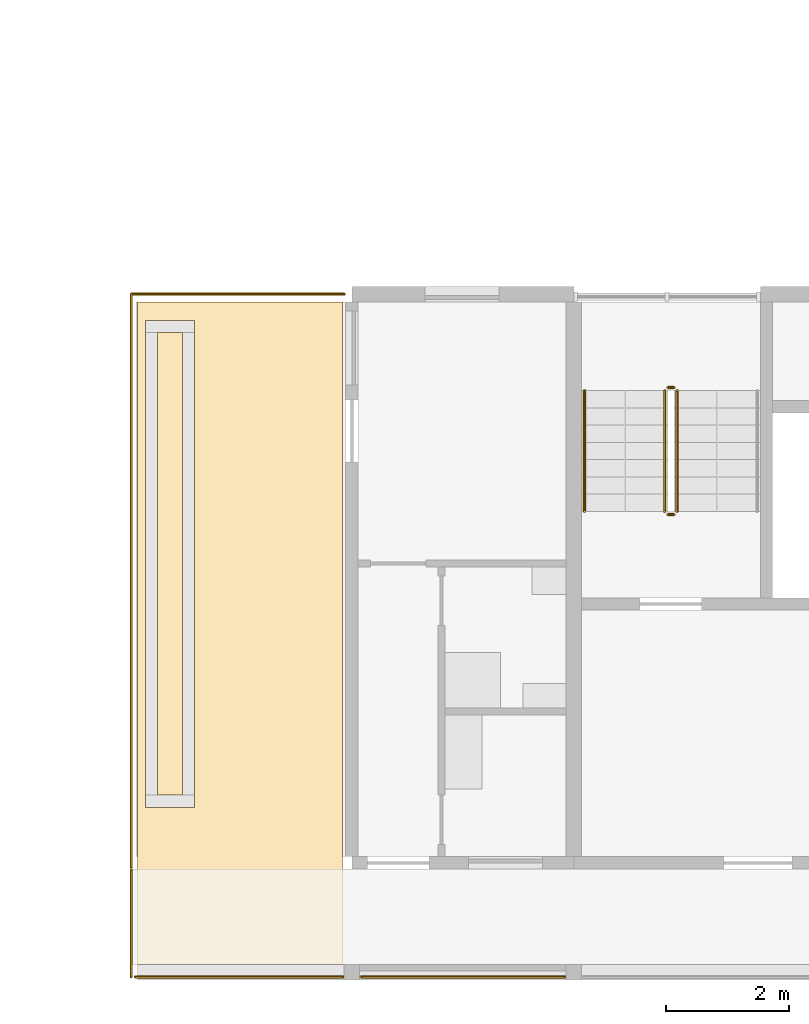
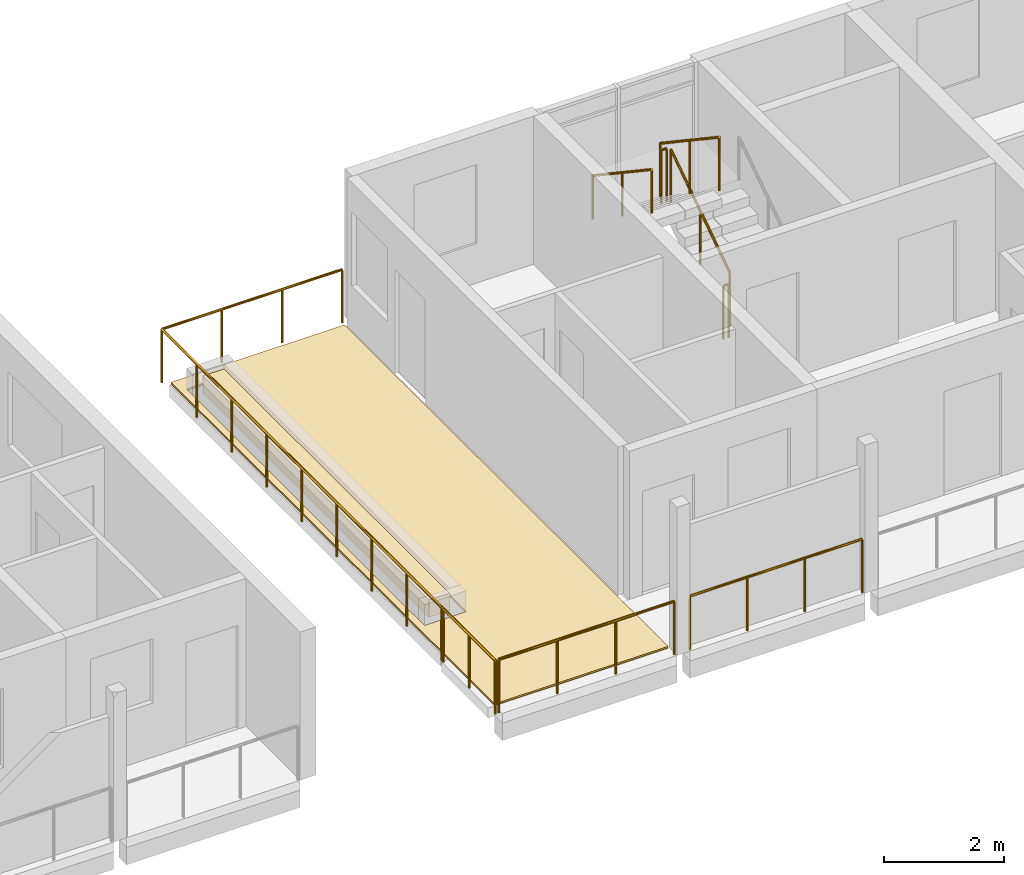
# One storey, part 50 of 64: 9 railings, 3 coverings.
"""IFC4 building model written with IfcOpenShell, lengths in metres."""

from ifc_helpers import new_model, si_unit, direction, frame, origin, origin_2d, place, context, subcontext, project, spatial, polyline, circle, outline, extrude, material, layer, layer_set, type_object, element, save


model = new_model("IFC4")

# Units and contexts
model_context = context("Model", 3, precision=1e-05, world=origin(), true_north=direction((0.0, 1.0)))
body_context = subcontext(model_context, "Body", "Model", "MODEL_VIEW")
ifc_project = project(units=[si_unit("LENGTHUNIT", "METRE"), si_unit("AREAUNIT", "SQUARE_METRE"), si_unit("VOLUMEUNIT", "CUBIC_METRE"), si_unit("PLANEANGLEUNIT", "RADIAN"), si_unit("MASSUNIT", "GRAM", prefix="KILO")], contexts=[model_context])

# Site, building, storey
site_placement = place(None, origin())
site = spatial("IfcSite", under=ifc_project, at=site_placement, CompositionType="ELEMENT")
building_placement = place(site_placement, origin())
building = spatial("IfcBuilding", under=site, at=building_placement, Name="Ridgestep Commons", CompositionType="ELEMENT")
storey_placement = place(building_placement, frame((0.0, 0.0, 33.0)))
storey = spatial("IfcBuildingStorey", under=building, at=storey_placement, Name="L11", CompositionType="ELEMENT", Elevation=33.0)

# Railings
ifc_material_1 = material(Name="Structural steel S355JR", Category="steel")
railing_type_1 = type_object("IfcRailingType", Name="Guard 1100", PredefinedType="GUARDRAIL", material=ifc_material_1)
railing_1_placement = place(storey_placement, frame((66.02099609375, 13.571044921875, 0.0)))
element("IfcRailing", 1, at=railing_1_placement, inside=storey, type_object=railing_type_1, Name="Guard TD-A4R2-GD", PredefinedType="GUARDRAIL", context=body_context, shape_type="SweptSolid", body=[
    extrude(circle(Radius=0.02392578125, at=origin_2d()), frame((0.0, 0.0, 1.076171875), z_axis=(0.0, 1.0, 0.0), x_axis=(-1.0, 0.0, 0.0)), (0.0, 0.0, 1.0), 9.303955078125),
    extrude(circle(Radius=0.02392578125, at=origin_2d()), frame((0.0, 9.303955078125, 1.076171875), z_axis=(1.0, 0.0, 0.0), x_axis=(0.0, 1.0, 0.0)), (0.0, 0.0, 1.0), 3.4580078125),
    extrude(circle(Radius=0.02099609375, at=origin_2d()), origin(), (0.0, 0.0, 1.0), 1.052001953125),
    extrude(circle(Radius=0.02099609375, at=origin_2d()), frame((0.0, 1.1630859375, 0.0)), (0.0, 0.0, 1.0), 1.052001953125),
    extrude(circle(Radius=0.02099609375, at=origin_2d()), frame((0.0, 2.325927734375, 0.0)), (0.0, 0.0, 1.0), 1.052001953125),
    extrude(circle(Radius=0.02099609375, at=origin_2d()), frame((0.0, 3.489013671875, 0.0)), (0.0, 0.0, 1.0), 1.052001953125),
    extrude(circle(Radius=0.02099609375, at=origin_2d()), frame((0.0, 4.65185546875, 0.0)), (0.0, 0.0, 1.0), 1.052001953125),
    extrude(circle(Radius=0.02099609375, at=origin_2d()), frame((0.0, 5.81494140625, 0.0)), (0.0, 0.0, 1.0), 1.052001953125),
    extrude(circle(Radius=0.02099609375, at=origin_2d()), frame((0.0, 6.97802734375, 0.0)), (0.0, 0.0, 1.0), 1.052001953125),
    extrude(circle(Radius=0.02099609375, at=origin_2d()), frame((0.0, 8.140869140625, 0.0)), (0.0, 0.0, 1.0), 1.052001953125),
    extrude(circle(Radius=0.02099609375, at=origin_2d()), frame((0.0, 9.303955078125, 0.0)), (0.0, 0.0, 1.0), 1.052001953125),
    extrude(circle(Radius=0.02099609375, at=origin_2d()), frame((1.152587890625, 9.303955078125, 0.0)), (0.0, 0.0, 1.0), 1.052001953125),
    extrude(circle(Radius=0.02099609375, at=origin_2d()), frame((2.305419921875, 9.303955078125, 0.0)), (0.0, 0.0, 1.0), 1.052001953125),
    extrude(circle(Radius=0.02099609375, at=origin_2d()), frame((3.4580078125, 9.303955078125, 0.0)), (0.0, 0.0, 1.0), 1.052001953125),
])
railing_2_placement = place(storey_placement, frame((66.083984375, 11.800048828125, 0.0)))
element("IfcRailing", 2, at=railing_2_placement, inside=storey, type_object=railing_type_1, Name="Gallery guard A 11.1", PredefinedType="GUARDRAIL", context=body_context, shape_type="SweptSolid", body=[
    extrude(circle(Radius=0.02392578125, at=origin_2d()), frame((0.0, 0.0, 1.076171875), z_axis=(1.0, 0.0, 0.0), x_axis=(0.0, 1.0, 0.0)), (0.0, 0.0, 1.0), 3.3701171875),
    extrude(circle(Radius=0.02099609375, at=origin_2d()), origin(), (0.0, 0.0, 1.0), 1.052001953125),
    extrude(circle(Radius=0.02099609375, at=origin_2d()), frame((1.123291015625, 0.0, 0.0)), (0.0, 0.0, 1.0), 1.052001953125),
    extrude(circle(Radius=0.02099609375, at=origin_2d()), frame((2.246826171875, 0.0, 0.0)), (0.0, 0.0, 1.0), 1.052001953125),
    extrude(circle(Radius=0.02099609375, at=origin_2d()), frame((3.3701171875, 0.0, 0.0)), (0.0, 0.0, 1.0), 1.052001953125),
])
railing_3_placement = place(storey_placement, frame((66.02099609375, 11.800048828125, 0.0)))
element("IfcRailing", 3, at=railing_3_placement, inside=storey, type_object=railing_type_1, Name="Gallery end guard A 11.1W", PredefinedType="GUARDRAIL", context=body_context, shape_type="SweptSolid", body=[
    extrude(circle(Radius=0.02392578125, at=origin_2d()), frame((0.0, 0.0, 1.076171875), z_axis=(0.0, 1.0, 0.0), x_axis=(-1.0, 0.0, 0.0)), (0.0, 0.0, 1.0), 1.72900390625),
    extrude(circle(Radius=0.02099609375, at=origin_2d()), origin(), (0.0, 0.0, 1.0), 1.052001953125),
    extrude(circle(Radius=0.02099609375, at=origin_2d()), frame((0.0, 0.864501953125, 0.0)), (0.0, 0.0, 1.0), 1.052001953125),
    extrude(circle(Radius=0.02099609375, at=origin_2d()), frame((0.0, 1.72900390625, 0.0)), (0.0, 0.0, 1.0), 1.052001953125),
])
railing_4_placement = place(storey_placement, frame((69.74609375, 11.800048828125, 0.0)))
element("IfcRailing", 4, at=railing_4_placement, inside=storey, type_object=railing_type_1, Name="Gallery guard A 11.2", PredefinedType="GUARDRAIL", context=body_context, shape_type="SweptSolid", body=[
    extrude(circle(Radius=0.02392578125, at=origin_2d()), frame((0.0, 0.0, 1.076171875), z_axis=(1.0, 0.0, 0.0), x_axis=(0.0, 1.0, 0.0)), (0.0, 0.0, 1.0), 3.307861328125),
    extrude(circle(Radius=0.02099609375, at=origin_2d()), origin(), (0.0, 0.0, 1.0), 1.052001953125),
    extrude(circle(Radius=0.02099609375, at=origin_2d()), frame((1.1025390625, 0.0, 0.0)), (0.0, 0.0, 1.0), 1.052001953125),
    extrude(circle(Radius=0.02099609375, at=origin_2d()), frame((2.205322265625, 0.0, 0.0)), (0.0, 0.0, 1.0), 1.052001953125),
    extrude(circle(Radius=0.02099609375, at=origin_2d()), frame((3.307861328125, 0.0, 0.0)), (0.0, 0.0, 1.0), 1.052001953125),
])

# Covering
ifc_material_2 = material(Name="Planting soil")
ifc_layer_1 = layer(ifc_material_2, 0.35009765625)
ifc_layer_set_1 = layer_set([ifc_layer_1], Name="Planting soil 350")
covering_type_1 = type_object("IfcCoveringType", Name="Planting soil 350", PredefinedType="FLOORING", material=ifc_layer_set_1)
covering_1_placement = place(storey_placement, frame((0.0, 0.0, 0.010009765625)))
element("IfcCovering", 5, at=covering_1_placement, inside=storey, type_object=covering_type_1, Name="Planting soil A4R2", PredefinedType="FLOORING", context=body_context, shape_type="SweptSolid", body=[
    extrude(outline(polyline([(66.449951171875, 14.75), (66.85009765625, 14.75), (66.85009765625, 22.25), (66.449951171875, 22.25), (66.449951171875, 14.75)])), origin(), (0.0, 0.0, 1.0), 0.35009765625),
])

# Railings
ifc_material_3 = material(Name="Structural steel S355JR", Category="steel")
railing_type_2 = type_object("IfcRailingType", Name="Stair guard 1100", PredefinedType="GUARDRAIL", material=ifc_material_3)
railing_5_placement = place(storey_placement, frame((74.875, 19.35009765625, 0.1875)))
element("IfcRailing", 6, at=railing_5_placement, inside=storey, type_object=railing_type_2, Name="L11 A4C stair guard 1", PredefinedType="GUARDRAIL", context=body_context, shape_type="SweptSolid", body=[
    extrude(circle(Radius=0.02392578125, at=origin_2d()), frame((0.0, 0.0, 1.076171875), z_axis=(0.0, 0.830902050051, 0.556418712142), x_axis=(-1.0, 0.0, 0.0)), (0.0, 0.0, 1.0), 2.35888671875),
    extrude(circle(Radius=0.02099609375, at=origin_2d()), origin(), (0.0, 0.0, 1.0), 1.052001953125),
    extrude(circle(Radius=0.02099609375, at=origin_2d()), frame((0.0, 0.97998046875, 0.65625)), (0.0, 0.0, 1.0), 1.052001953125),
    extrude(circle(Radius=0.02099609375, at=origin_2d()), frame((0.0, 1.9599609375, 1.3125)), (0.0, 0.0, 1.0), 1.052001953125),
])
railing_6_placement = place(storey_placement, frame((74.824951171875, 21.360107421875, 1.5)))
element("IfcRailing", 7, at=railing_6_placement, inside=storey, type_object=railing_type_2, Name="L11 A4C stair guard 2", PredefinedType="GUARDRAIL", context=body_context, shape_type="SweptSolid", body=[
    extrude(circle(Radius=0.02392578125, at=origin_2d()), frame((0.0, 0.0, 1.076171875), z_axis=(-1.0, 0.0, 0.0), x_axis=(0.0, -1.0, 0.0)), (0.0, 0.0, 1.0), 0.099853515625),
    extrude(circle(Radius=0.02099609375, at=origin_2d()), origin(), (0.0, 0.0, 1.0), 1.052001953125),
    extrude(circle(Radius=0.02099609375, at=origin_2d()), frame((-0.099853515625, 0.0, 0.0)), (0.0, 0.0, 1.0), 1.052001953125),
])
railing_7_placement = place(storey_placement, frame((74.675048828125, 21.31005859375, 1.6875)))
element("IfcRailing", 8, at=railing_7_placement, inside=storey, type_object=railing_type_2, Name="L11 A4C stair guard 3", PredefinedType="GUARDRAIL", context=body_context, shape_type="SweptSolid", body=[
    extrude(circle(Radius=0.02392578125, at=origin_2d()), frame((0.0, 0.0, 1.076171875), z_axis=(0.0, -0.830902050051, 0.556418712142), x_axis=(1.0, 0.0, 0.0)), (0.0, 0.0, 1.0), 2.35888671875),
    extrude(circle(Radius=0.02099609375, at=origin_2d()), origin(), (0.0, 0.0, 1.0), 1.052001953125),
    extrude(circle(Radius=0.02099609375, at=origin_2d()), frame((0.0, -0.97998046875, 0.65625)), (0.0, 0.0, 1.0), 1.052001953125),
    extrude(circle(Radius=0.02099609375, at=origin_2d()), frame((0.0, -1.9599609375, 1.3125)), (0.0, 0.0, 1.0), 1.052001953125),
])
railing_8_placement = place(storey_placement, frame((74.824951171875, 19.300048828125, 0.0)))
element("IfcRailing", 9, at=railing_8_placement, inside=storey, type_object=railing_type_2, Name="L11 A4C stair guard 4", PredefinedType="GUARDRAIL", context=body_context, shape_type="SweptSolid", body=[
    extrude(circle(Radius=0.02392578125, at=origin_2d()), frame((0.0, 0.0, 1.076171875), z_axis=(-1.0, 0.0, 0.0), x_axis=(0.0, -1.0, 0.0)), (0.0, 0.0, 1.0), 0.099853515625),
    extrude(circle(Radius=0.02099609375, at=origin_2d()), origin(), (0.0, 0.0, 1.0), 1.052001953125),
    extrude(circle(Radius=0.02099609375, at=origin_2d()), frame((-0.099853515625, 0.0, 0.0)), (0.0, 0.0, 1.0), 1.052001953125),
])
ifc_material_4 = material(Name="Structural steel S355JR", Category="steel")
railing_type_3 = type_object("IfcRailingType", Name="Stair handrail 900", PredefinedType="HANDRAIL", material=ifc_material_4)
railing_9_placement = place(storey_placement, frame((73.375, 21.31005859375, 1.6875)))
element("IfcRailing", 10, at=railing_9_placement, inside=storey, type_object=railing_type_3, Name="L11 A4C stair handrail 2", PredefinedType="HANDRAIL", context=body_context, shape_type="SweptSolid", body=[
    extrude(circle(Radius=0.02392578125, at=origin_2d()), frame((0.0, 0.0, 0.8759765625), z_axis=(0.0, -0.830902050051, 0.556418712142), x_axis=(1.0, 0.0, 0.0)), (0.0, 0.0, 1.0), 2.35888671875),
    extrude(circle(Radius=0.02099609375, at=origin_2d()), origin(), (0.0, 0.0, 1.0), 0.851806640625),
    extrude(circle(Radius=0.02099609375, at=origin_2d()), frame((0.0, -0.97998046875, 0.65625)), (0.0, 0.0, 1.0), 0.851806640625),
    extrude(circle(Radius=0.02099609375, at=origin_2d()), frame((0.0, -1.9599609375, 1.3125)), (0.0, 0.0, 1.0), 0.851806640625),
])

# Coverings
ifc_material_5 = material(Name="Bitumen membrane, two layer")
ifc_layer_2 = layer(ifc_material_5, 0.010009765625)
ifc_layer_set_2 = layer_set([ifc_layer_2], Name="Terrace membrane 10")
covering_type_2 = type_object("IfcCoveringType", Name="Terrace membrane 10", PredefinedType="ROOFING", material=ifc_layer_set_2)
covering_2_placement = place(storey_placement, origin())
element("IfcCovering", 11, at=covering_2_placement, inside=storey, type_object=covering_type_2, Name="Terrace membrane A4R2", PredefinedType="ROOFING", context=body_context, shape_type="SweptSolid", body=[
    extrude(outline(polyline([(69.449951171875, 12.0), (69.449951171875, 22.75), (66.125, 22.75), (66.125, 12.0), (69.449951171875, 12.0)]), holes=[polyline([(67.050048828125, 14.550048828125), (67.050048828125, 22.449951171875), (66.25, 22.449951171875), (66.25, 14.550048828125), (67.050048828125, 14.550048828125)])]), origin(), (0.0, 0.0, 1.0), 0.010009765625),
])
ifc_material_6 = material(Name="Concrete paving slab", Category="concrete")
ifc_layer_3 = layer(ifc_material_6, 0.030029296875)
ifc_layer_set_3 = layer_set([ifc_layer_3], Name="Terrace paving 30")
covering_type_3 = type_object("IfcCoveringType", Name="Terrace paving 30", PredefinedType="FLOORING", material=ifc_layer_set_3)
covering_3_placement = place(storey_placement, frame((0.0, 0.0, 0.010009765625)))
element("IfcCovering", 12, at=covering_3_placement, inside=storey, type_object=covering_type_3, Name="Terrace paving A4R2", PredefinedType="FLOORING", context=body_context, shape_type="SweptSolid", body=[
    extrude(outline(polyline([(69.449951171875, 12.0), (69.449951171875, 22.75), (66.125, 22.75), (66.125, 12.0), (69.449951171875, 12.0)]), holes=[polyline([(67.050048828125, 14.550048828125), (67.050048828125, 22.449951171875), (66.25, 22.449951171875), (66.25, 14.550048828125), (67.050048828125, 14.550048828125)])]), origin(), (0.0, 0.0, 1.0), 0.030029296875),
])

save(model, "model.ifc")
